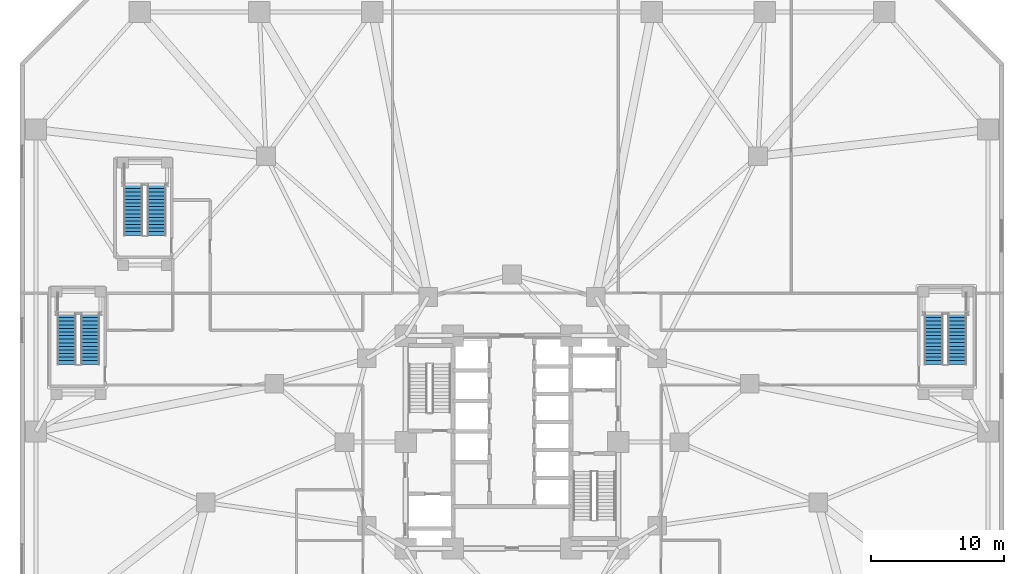
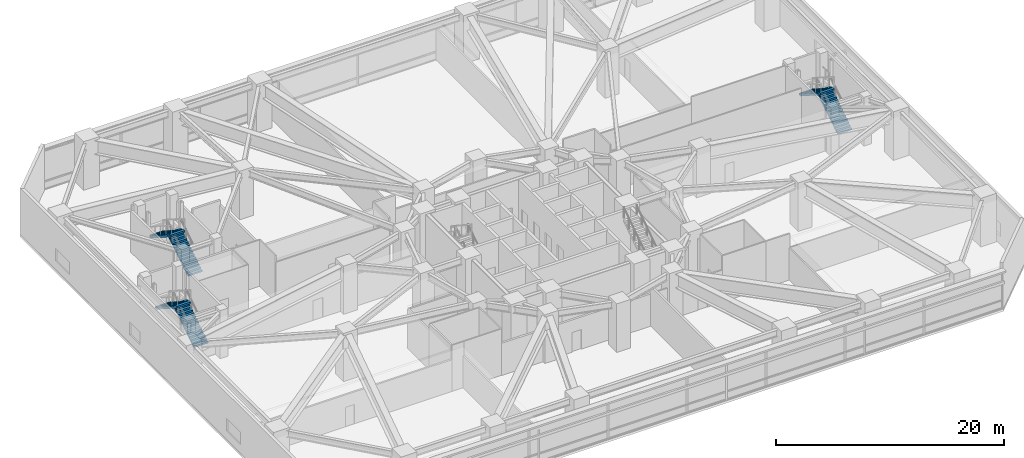
# One storey, part 19 of 28: 6 stair flights, 3 elements without a shape of their own.
"""IFC4 building model written with IfcOpenShell, lengths in metres."""

from ifc_helpers import new_model, si_unit, direction, frame, origin, place, context, subcontext, project, spatial, polyline, outline, extrude, material, type_object, element, aggregate, save


model = new_model("IFC4")

# Units and contexts
model_context = context("Model", 3, precision=1e-05, world=origin(), true_north=direction((0.0, 1.0)))
body_context = subcontext(model_context, "Body", "Model", "MODEL_VIEW")
ifc_project = project(units=[si_unit("LENGTHUNIT", "METRE"), si_unit("AREAUNIT", "SQUARE_METRE"), si_unit("VOLUMEUNIT", "CUBIC_METRE"), si_unit("PLANEANGLEUNIT", "RADIAN"), si_unit("MASSUNIT", "GRAM", prefix="KILO")], contexts=[model_context])

# Site, building, storey
site_placement = place(None, origin())
site = spatial("IfcSite", under=ifc_project, at=site_placement, CompositionType="ELEMENT")
building_placement = place(site_placement, origin())
building = spatial("IfcBuilding", under=site, at=building_placement, Name="Terralouvre Media Tower", CompositionType="ELEMENT")
storey_placement = place(building_placement, frame((0.0, 0.0, 10.39990234375)))
storey = spatial("IfcBuildingStorey", under=building, at=storey_placement, Name="L02", CompositionType="ELEMENT", Elevation=10.39990234375)

# Stair, stair flights
ifc_material_1 = material(Name="Concrete C45/55", Category="concrete")
stair_type_1 = type_object("IfcStairType", Name="Dogleg Stair Assembly ST-03", PredefinedType="HALF_TURN_STAIR", material=ifc_material_1)
stair_1_placement = place(storey_placement, origin())
stair_1 = element("IfcStair", 1, at=stair_1_placement, inside=storey, type_object=stair_type_1, Name="L02 West Podium Exit Stair ST-03", PredefinedType="HALF_TURN_STAIR")
ifc_material_2 = material(Name="Concrete C45/55", Category="concrete")
stair_flight_type = type_object("IfcStairFlightType", Name="Reinforced Concrete Stair Flight SF-RC1", PredefinedType="STRAIGHT", material=ifc_material_2)
stair_flight_1_placement = place(storey_placement, frame((-31.7099609375, 5.85009765625, 0.0), z_axis=(0.0, 0.0, 1.0), x_axis=(0.0, 1.0, 0.0)))
stair_flight_1 = element("IfcStairFlight", 2, at=stair_flight_1_placement, type_object=stair_flight_type, Name="ST-03 flight 1", NumberOfRisers=15, NumberOfTreads=14, PredefinedType="STRAIGHT", RiserHeight=0.173333333, TreadLength=0.27, context=body_context, shape_type="SweptSolid", body=[
    extrude(outline(polyline([(0.0, 0.0), (0.0, 0.17333984375), (0.27001953125, 0.17333984375), (0.27001953125, 0.3466796875), (0.5400390625, 0.3466796875), (0.5400390625, 0.52001953125), (0.81005859375, 0.52001953125), (0.81005859375, 0.693359375), (1.080078125, 0.693359375), (1.080078125, 0.86669921875), (1.35009765625, 0.86669921875), (1.35009765625, 1.0400390625), (1.6201171875, 1.0400390625), (1.6201171875, 1.21337890625), (1.889892578125, 1.21337890625), (1.889892578125, 1.38671875), (2.159912109375, 1.38671875), (2.159912109375, 1.56005859375), (2.429931640625, 1.56005859375), (2.429931640625, 1.7333984375), (2.699951171875, 1.7333984375), (2.699951171875, 1.90673828125), (2.969970703125, 1.90673828125), (2.969970703125, 2.080078125), (3.239990234375, 2.080078125), (3.239990234375, 2.25341796875), (3.510009765625, 2.25341796875), (3.510009765625, 2.4267578125), (3.780029296875, 2.4267578125), (3.780029296875, 2.60009765625), (3.780029296875, 2.24853515625), (0.277587890625, 0.0), (0.0, 0.0)])), frame((0.0, 0.7099609375, 0.0), z_axis=(0.0, -1.0, 0.0), x_axis=(1.0, 0.0, 0.0)), (0.0, 0.0, 1.0), 1.419921875),
])
stair_flight_2_placement = place(storey_placement, frame((-33.489990234375, 9.6298828125, 2.60009765625), z_axis=(0.0, 0.0, 1.0), x_axis=(0.0, -1.0, 0.0)))
stair_flight_2 = element("IfcStairFlight", 3, at=stair_flight_2_placement, type_object=stair_flight_type, Name="ST-03 flight 2", NumberOfRisers=15, NumberOfTreads=14, PredefinedType="STRAIGHT", RiserHeight=0.173333333, TreadLength=0.27, context=body_context, shape_type="SweptSolid", body=[
    extrude(outline(polyline([(0.0, 0.0), (0.0, 0.17333984375), (0.27001953125, 0.17333984375), (0.27001953125, 0.3466796875), (0.5400390625, 0.3466796875), (0.5400390625, 0.52001953125), (0.81005859375, 0.52001953125), (0.81005859375, 0.693359375), (1.080078125, 0.693359375), (1.080078125, 0.86669921875), (1.35009765625, 0.86669921875), (1.35009765625, 1.0400390625), (1.6201171875, 1.0400390625), (1.6201171875, 1.21337890625), (1.889892578125, 1.21337890625), (1.889892578125, 1.38671875), (2.159912109375, 1.38671875), (2.159912109375, 1.56005859375), (2.429931640625, 1.56005859375), (2.429931640625, 1.7333984375), (2.699951171875, 1.7333984375), (2.699951171875, 1.90673828125), (2.969970703125, 1.90673828125), (2.969970703125, 2.080078125), (3.239990234375, 2.080078125), (3.239990234375, 2.25341796875), (3.510009765625, 2.25341796875), (3.510009765625, 2.4267578125), (3.780029296875, 2.4267578125), (3.780029296875, 2.60009765625), (3.780029296875, 2.24853515625), (0.277587890625, 0.0), (0.0, 0.0)])), frame((0.0, 0.7099609375, 0.0), z_axis=(0.0, -1.0, 0.0), x_axis=(1.0, 0.0, 0.0)), (0.0, 0.0, 1.0), 1.419921875),
])
aggregate(stair_1, [stair_flight_1, stair_flight_2])

ifc_material_3 = material(Name="Concrete C45/55", Category="concrete")
stair_type_2 = type_object("IfcStairType", Name="Dogleg Stair Assembly ST-04", PredefinedType="HALF_TURN_STAIR", material=ifc_material_3)
stair_2_placement = place(storey_placement, origin())
stair_2 = element("IfcStair", 4, at=stair_2_placement, inside=storey, type_object=stair_type_2, Name="L02 East Podium Exit Stair ST-04", PredefinedType="HALF_TURN_STAIR")
stair_flight_3_placement = place(storey_placement, frame((33.489990234375, 5.85009765625, 0.0), z_axis=(0.0, 0.0, 1.0), x_axis=(0.0, 1.0, 0.0)))
stair_flight_3 = element("IfcStairFlight", 5, at=stair_flight_3_placement, type_object=stair_flight_type, Name="ST-04 flight 1", NumberOfRisers=15, NumberOfTreads=14, PredefinedType="STRAIGHT", RiserHeight=0.173333333, TreadLength=0.27, context=body_context, shape_type="SweptSolid", body=[
    extrude(outline(polyline([(0.0, 0.0), (0.0, 0.17333984375), (0.27001953125, 0.17333984375), (0.27001953125, 0.3466796875), (0.5400390625, 0.3466796875), (0.5400390625, 0.52001953125), (0.81005859375, 0.52001953125), (0.81005859375, 0.693359375), (1.080078125, 0.693359375), (1.080078125, 0.86669921875), (1.35009765625, 0.86669921875), (1.35009765625, 1.0400390625), (1.6201171875, 1.0400390625), (1.6201171875, 1.21337890625), (1.889892578125, 1.21337890625), (1.889892578125, 1.38671875), (2.159912109375, 1.38671875), (2.159912109375, 1.56005859375), (2.429931640625, 1.56005859375), (2.429931640625, 1.7333984375), (2.699951171875, 1.7333984375), (2.699951171875, 1.90673828125), (2.969970703125, 1.90673828125), (2.969970703125, 2.080078125), (3.239990234375, 2.080078125), (3.239990234375, 2.25341796875), (3.510009765625, 2.25341796875), (3.510009765625, 2.4267578125), (3.780029296875, 2.4267578125), (3.780029296875, 2.60009765625), (3.780029296875, 2.24853515625), (0.277587890625, 0.0), (0.0, 0.0)])), frame((0.0, 0.7099609375, 0.0), z_axis=(0.0, -1.0, 0.0), x_axis=(1.0, 0.0, 0.0)), (0.0, 0.0, 1.0), 1.419921875),
])
stair_flight_4_placement = place(storey_placement, frame((31.7099609375, 9.6298828125, 2.60009765625), z_axis=(0.0, 0.0, 1.0), x_axis=(0.0, -1.0, 0.0)))
stair_flight_4 = element("IfcStairFlight", 6, at=stair_flight_4_placement, type_object=stair_flight_type, Name="ST-04 flight 2", NumberOfRisers=15, NumberOfTreads=14, PredefinedType="STRAIGHT", RiserHeight=0.173333333, TreadLength=0.27, context=body_context, shape_type="SweptSolid", body=[
    extrude(outline(polyline([(0.0, 0.0), (0.0, 0.17333984375), (0.27001953125, 0.17333984375), (0.27001953125, 0.3466796875), (0.5400390625, 0.3466796875), (0.5400390625, 0.52001953125), (0.81005859375, 0.52001953125), (0.81005859375, 0.693359375), (1.080078125, 0.693359375), (1.080078125, 0.86669921875), (1.35009765625, 0.86669921875), (1.35009765625, 1.0400390625), (1.6201171875, 1.0400390625), (1.6201171875, 1.21337890625), (1.889892578125, 1.21337890625), (1.889892578125, 1.38671875), (2.159912109375, 1.38671875), (2.159912109375, 1.56005859375), (2.429931640625, 1.56005859375), (2.429931640625, 1.7333984375), (2.699951171875, 1.7333984375), (2.699951171875, 1.90673828125), (2.969970703125, 1.90673828125), (2.969970703125, 2.080078125), (3.239990234375, 2.080078125), (3.239990234375, 2.25341796875), (3.510009765625, 2.25341796875), (3.510009765625, 2.4267578125), (3.780029296875, 2.4267578125), (3.780029296875, 2.60009765625), (3.780029296875, 2.24853515625), (0.277587890625, 0.0), (0.0, 0.0)])), frame((0.0, 0.7099609375, 0.0), z_axis=(0.0, -1.0, 0.0), x_axis=(1.0, 0.0, 0.0)), (0.0, 0.0, 1.0), 1.419921875),
])
aggregate(stair_2, [stair_flight_3, stair_flight_4])

ifc_material_4 = material(Name="Concrete C45/55", Category="concrete")
stair_type_3 = type_object("IfcStairType", Name="Dogleg Stair Assembly ST-06", PredefinedType="HALF_TURN_STAIR", material=ifc_material_4)
stair_3_placement = place(storey_placement, origin())
stair_3 = element("IfcStair", 7, at=stair_3_placement, inside=storey, type_object=stair_type_3, Name="L02 Podium Garden Visitor Stair ST-06", PredefinedType="HALF_TURN_STAIR")
stair_flight_5_placement = place(storey_placement, frame((-26.7099609375, 15.550048828125, 0.0), z_axis=(0.0, 0.0, 1.0), x_axis=(0.0, 1.0, 0.0)))
stair_flight_5 = element("IfcStairFlight", 8, at=stair_flight_5_placement, type_object=stair_flight_type, Name="ST-06 flight 1", NumberOfRisers=15, NumberOfTreads=14, PredefinedType="STRAIGHT", RiserHeight=0.173333333, TreadLength=0.27, context=body_context, shape_type="SweptSolid", body=[
    extrude(outline(polyline([(0.0, 0.0), (0.0, 0.17333984375), (0.27001953125, 0.17333984375), (0.27001953125, 0.3466796875), (0.5400390625, 0.3466796875), (0.5400390625, 0.52001953125), (0.81005859375, 0.52001953125), (0.81005859375, 0.693359375), (1.080078125, 0.693359375), (1.080078125, 0.86669921875), (1.35009765625, 0.86669921875), (1.35009765625, 1.0400390625), (1.6201171875, 1.0400390625), (1.6201171875, 1.21337890625), (1.889892578125, 1.21337890625), (1.889892578125, 1.38671875), (2.159912109375, 1.38671875), (2.159912109375, 1.56005859375), (2.429931640625, 1.56005859375), (2.429931640625, 1.7333984375), (2.699951171875, 1.7333984375), (2.699951171875, 1.90673828125), (2.969970703125, 1.90673828125), (2.969970703125, 2.080078125), (3.239990234375, 2.080078125), (3.239990234375, 2.25341796875), (3.510009765625, 2.25341796875), (3.510009765625, 2.4267578125), (3.780029296875, 2.4267578125), (3.780029296875, 2.60009765625), (3.780029296875, 2.24853515625), (0.277587890625, 0.0), (0.0, 0.0)])), frame((0.0, 0.7099609375, 0.0), z_axis=(0.0, -1.0, 0.0), x_axis=(1.0, 0.0, 0.0)), (0.0, 0.0, 1.0), 1.419921875),
])
stair_flight_6_placement = place(storey_placement, frame((-28.489990234375, 19.330078125, 2.60009765625), z_axis=(0.0, 0.0, 1.0), x_axis=(0.0, -1.0, 0.0)))
stair_flight_6 = element("IfcStairFlight", 9, at=stair_flight_6_placement, type_object=stair_flight_type, Name="ST-06 flight 2", NumberOfRisers=15, NumberOfTreads=14, PredefinedType="STRAIGHT", RiserHeight=0.173333333, TreadLength=0.27, context=body_context, shape_type="SweptSolid", body=[
    extrude(outline(polyline([(0.0, 0.0), (0.0, 0.17333984375), (0.27001953125, 0.17333984375), (0.27001953125, 0.3466796875), (0.5400390625, 0.3466796875), (0.5400390625, 0.52001953125), (0.81005859375, 0.52001953125), (0.81005859375, 0.693359375), (1.080078125, 0.693359375), (1.080078125, 0.86669921875), (1.35009765625, 0.86669921875), (1.35009765625, 1.0400390625), (1.6201171875, 1.0400390625), (1.6201171875, 1.21337890625), (1.889892578125, 1.21337890625), (1.889892578125, 1.38671875), (2.159912109375, 1.38671875), (2.159912109375, 1.56005859375), (2.429931640625, 1.56005859375), (2.429931640625, 1.7333984375), (2.699951171875, 1.7333984375), (2.699951171875, 1.90673828125), (2.969970703125, 1.90673828125), (2.969970703125, 2.080078125), (3.239990234375, 2.080078125), (3.239990234375, 2.25341796875), (3.510009765625, 2.25341796875), (3.510009765625, 2.4267578125), (3.780029296875, 2.4267578125), (3.780029296875, 2.60009765625), (3.780029296875, 2.24853515625), (0.277587890625, 0.0), (0.0, 0.0)])), frame((0.0, 0.7099609375, 0.0), z_axis=(0.0, -1.0, 0.0), x_axis=(1.0, 0.0, 0.0)), (0.0, 0.0, 1.0), 1.419921875),
])
aggregate(stair_3, [stair_flight_5, stair_flight_6])

save(model, "model.ifc")
